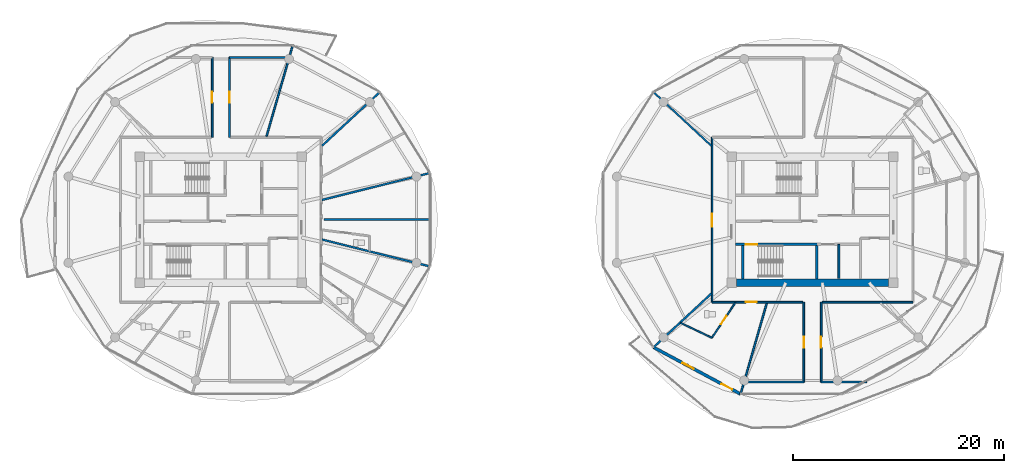
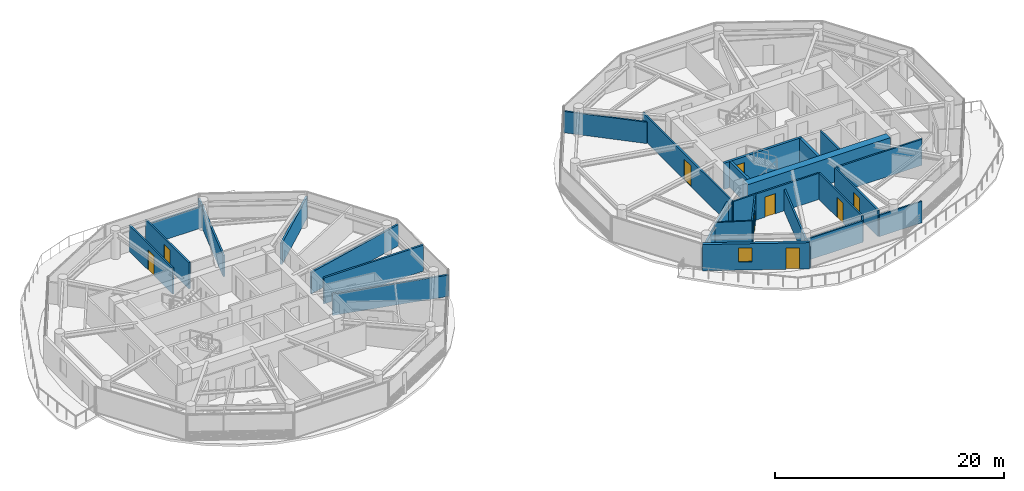
# One storey, part 15 of 25: 26 walls, 9 doors, 1 window, 10 openings.
"""IFC4 building model written with IfcOpenShell, lengths in metres."""

from ifc_helpers import new_model, si_unit, direction, frame, frame_2d, origin, place, context, subcontext, project, spatial, rectangle, extrude, source, transform, mapped, material, layer, layer_set, type_object, type_shapes, element, fill, save


model = new_model("IFC4")

# Units and contexts
model_context = context("Model", 3, precision=1e-05, world=origin(), true_north=direction((0.0, 1.0)))
body_context = subcontext(model_context, "Body", "Model", "MODEL_VIEW")
ifc_project = project(units=[si_unit("LENGTHUNIT", "METRE"), si_unit("AREAUNIT", "SQUARE_METRE"), si_unit("VOLUMEUNIT", "CUBIC_METRE"), si_unit("PLANEANGLEUNIT", "RADIAN"), si_unit("MASSUNIT", "GRAM", prefix="KILO")], contexts=[model_context])

# Site, building, storey
site_placement = place(None, origin())
site = spatial("IfcSite", under=ifc_project, at=site_placement, CompositionType="ELEMENT")
building_placement = place(site_placement, origin())
building = spatial("IfcBuilding", under=site, at=building_placement, Name="Norrkilde Senior Care Towers", CompositionType="ELEMENT")
storey_placement = place(building_placement, frame((0.0, 0.0, 84.050048828125)))
storey = spatial("IfcBuildingStorey", under=building, at=storey_placement, Name="L25", CompositionType="ELEMENT", Elevation=84.050048828125)

# Wall
ifc_material_1 = material(Name="Concrete C60/75", Category="concrete")
ifc_layer_1 = layer(ifc_material_1, 0.719970703125)
ifc_layer_set_1 = layer_set([ifc_layer_1], Name="Concrete C60/75")
wall_type_1 = type_object("IfcWallType", Name="Core Shear Wall Z2 720", PredefinedType="SHEAR", material=ifc_layer_set_1)
shared_shape_1 = source(origin(), body_context, "Body", "SweptSolid", [
    extrude(rectangle(XDim=14.39990234375, YDim=0.719970703125, at=frame_2d((7.199951171875, 0.0))), origin(), (0.0, 0.0, 1.0), 2.7900390625),
])
type_shapes(wall_type_1, [shared_shape_1])
wall_1_placement = place(storey_placement, frame((35.199951171875, -5.949951171875, 0.0), z_axis=(0.0, 0.0, 1.0), x_axis=(-1.0, 0.0, 0.0)))
element("IfcWall", 1, at=wall_1_placement, inside=storey, type_object=wall_type_1, Name="L25 Core E South Shear Wall", PredefinedType="SHEAR", context=body_context, shape_type="MappedRepresentation", body=[
    mapped(shared_shape_1, transform((0.0, 0.0, 0.0), x_axis=(1.0, 0.0, 0.0), y_axis=(0.0, 1.0, 0.0), z_axis=(0.0, 0.0, 1.0), scale=1.0)),
])

# Wall, openings, door, window
ifc_material_2 = material(Name="Precast concrete C45/55", Category="concrete")
ifc_layer_2 = layer(ifc_material_2, 0.2900390625)
ifc_layer_set_2 = layer_set([ifc_layer_2], Name="Precast concrete C45/55")
wall_type_2 = type_object("IfcWallType", Name="Winter Garden Facade Wall 290", PredefinedType="SOLIDWALL", material=ifc_layer_set_2)
shared_shape_2 = source(origin(), body_context, "Body", "SweptSolid", [
    extrude(rectangle(XDim=9.3505859375, YDim=0.2900390625, at=frame_2d((4.67529296875, 0.0))), origin(), (0.0, 0.0, 1.0), 2.7900390625),
])
type_shapes(wall_type_2, [shared_shape_2])
wall_2_placement = place(storey_placement, frame((21.19287109375, -16.498046875, 0.0), z_axis=(0.0, 0.0, 1.0), x_axis=(-0.881184411073, 0.472772708267, 0.0)))
wall_2 = element("IfcWall", 2, at=wall_2_placement, inside=storey, type_object=wall_type_2, Name="L25 Drum E Balcony Access Wall 07", PredefinedType="SOLIDWALL", context=body_context, shape_type="MappedRepresentation", body=[
    mapped(shared_shape_2, transform((0.0, 0.0, 0.0), x_axis=(1.0, 0.0, 0.0), y_axis=(0.0, 1.0, 0.0), z_axis=(0.0, 0.0, 1.0), scale=1.0)),
])
opening_1_placement = place(wall_2_placement, frame((0.89990234375, 0.0, 0.0)))
opening_1 = element("IfcOpeningElement", 3, at=opening_1_placement, cuts=wall_2, Name="Opening D-09", PredefinedType="OPENING", context=body_context, shape_type="SweptSolid", body=[
    extrude(rectangle(XDim=1.14990234375, YDim=2.25, at=frame_2d((0.574951171875, 1.125))), frame((0.0, 0.155029296875, 0.0), z_axis=(0.0, -1.0, 0.0), x_axis=(1.0, 0.0, 0.0)), (0.0, 0.0, 1.0), 0.31005859375),
])
opening_2_placement = place(wall_2_placement, frame((5.025146484375, 0.0, 0.85009765625)))
opening_2 = element("IfcOpeningElement", 4, at=opening_2_placement, cuts=wall_2, Name="Opening WN-07", PredefinedType="OPENING", context=body_context, shape_type="SweptSolid", body=[
    extrude(rectangle(XDim=1.199951171875, YDim=1.5, at=frame_2d((0.60009765625, 0.75))), frame((0.0, 0.155029296875, 0.0), z_axis=(0.0, -1.0, 0.0), x_axis=(1.0, 0.0, 0.0)), (0.0, 0.0, 1.0), 0.31005859375),
])
ifc_material_3 = material(Name="Anodised Aluminium", Category="aluminium")
door_type_1 = type_object("IfcDoorType", Name="Terrace and Balcony Glazed Door 1150x2250", OperationType="NOTDEFINED", PredefinedType="DOOR", material=ifc_material_3)
shared_shape_3 = source(origin(), body_context, "Body", "SweptSolid", [
    extrude(rectangle(XDim=1.14990234375, YDim=2.25, at=frame_2d((0.574951171875, 1.125))), frame((0.0, 0.02490234375, 0.0), z_axis=(0.0, -1.0, 0.0), x_axis=(1.0, 0.0, 0.0)), (0.0, 0.0, 1.0), 0.050048828125),
])
type_shapes(door_type_1, [shared_shape_3])
door_1_placement = place(opening_1_placement, origin())
door_1 = element("IfcDoor", 5, at=door_1_placement, inside=storey, type_object=door_type_1, Name="L25 Drum E Outdoor Terrace Door 07", OperationType="SINGLE_SWING_RIGHT", OverallHeight=2.25, OverallWidth=1.14990234375, PredefinedType="DOOR", context=body_context, shape_type="MappedRepresentation", body=[
    mapped(shared_shape_3, transform((0.0, 0.0, 0.0), x_axis=(1.0, 0.0, 0.0), y_axis=(0.0, 1.0, 0.0), z_axis=(0.0, 0.0, 1.0), scale=1.0)),
])
fill(opening_1, door_1)
ifc_material_4 = material(Name="Triple Low-E Insulated Glazing", Category="glass")
window_type = type_object("IfcWindowType", Name="Stairwell Smoke Vent Window 1200x1500", PartitioningType="SINGLE_PANEL", PredefinedType="WINDOW", material=ifc_material_4)
shared_shape_4 = source(origin(), body_context, "Body", "SweptSolid", [
    extrude(rectangle(XDim=1.199951171875, YDim=1.5, at=frame_2d((0.60009765625, 0.75))), frame((0.0, 0.030029296875, 0.0), z_axis=(0.0, -1.0, 0.0), x_axis=(1.0, 0.0, 0.0)), (0.0, 0.0, 1.0), 0.06005859375),
])
type_shapes(window_type, [shared_shape_4])
window_placement = place(opening_2_placement, origin())
window = element("IfcWindow", 6, at=window_placement, inside=storey, type_object=window_type, Name="L25 Drum E Winter Garden Window 07", OverallHeight=1.5, OverallWidth=1.199951171875, PartitioningType="SINGLE_PANEL", PredefinedType="WINDOW", context=body_context, shape_type="MappedRepresentation", body=[
    mapped(shared_shape_4, transform((0.0, 0.0, 0.0), x_axis=(1.0, 0.0, 0.0), y_axis=(0.0, 1.0, 0.0), z_axis=(0.0, 0.0, 1.0), scale=1.0)),
])
fill(opening_2, window)

# Wall
ifc_material_5 = material(Name="Concrete C45/55", Category="concrete")
ifc_layer_3 = layer(ifc_material_5, 0.179931640625)
ifc_layer_set_3 = layer_set([ifc_layer_3], Name="Concrete C45/55")
wall_type_3 = type_object("IfcWallType", Name="Hoistway Division Rated Partition 180", PredefinedType="PARTITIONING", material=ifc_layer_set_3)
shared_shape_5 = source(origin(), body_context, "Body", "SweptSolid", [
    extrude(rectangle(XDim=3.219970703125, YDim=0.179931640625, at=frame_2d((1.60986328125, 0.0))), origin(), (0.0, 0.0, 1.0), 2.77490234375),
])
type_shapes(wall_type_3, [shared_shape_5])
wall_3_placement = place(storey_placement, frame((30.5, -5.550048828125, 0.0), z_axis=(0.0, 0.0, 1.0), x_axis=(0.0, 1.0, 0.0)))
element("IfcWall", 7, at=wall_3_placement, inside=storey, type_object=wall_type_3, Name="WL-INT-L25-E-PL34", PredefinedType="PARTITIONING", context=body_context, shape_type="MappedRepresentation", body=[
    mapped(shared_shape_5, transform((0.0, 0.0, 0.0), x_axis=(1.0, 0.0, 0.0), y_axis=(0.0, 1.0, 0.0), z_axis=(0.0, 0.0, 1.0), scale=1.0)),
])

# Wall, opening, door
ifc_material_6 = material(Name="Gypsum Acoustic Board")
ifc_layer_4 = layer(ifc_material_6, 0.1650390625)
ifc_layer_set_4 = layer_set([ifc_layer_4], Name="Gypsum Acoustic Board")
wall_type_4 = type_object("IfcWallType", Name="Corridor Rated Partition 165", PredefinedType="PARTITIONING", material=ifc_layer_set_4)
shared_shape_6 = source(origin(), body_context, "Body", "SweptSolid", [
    extrude(rectangle(XDim=15.60009765625, YDim=0.1650390625, at=frame_2d((7.800048828125, 0.0))), origin(), (0.0, 0.0, 1.0), 2.77490234375),
])
wall_4_placement = place(storey_placement, frame((18.5, -7.800048828125, 0.0), z_axis=(0.0, 0.0, 1.0), x_axis=(0.0, 1.0, 0.0)))
wall_4 = element("IfcWall", 8, at=wall_4_placement, inside=storey, type_object=wall_type_4, Name="WL-INT-L25-E-CRW-W-0", PredefinedType="PARTITIONING", context=body_context, shape_type="MappedRepresentation", body=[
    mapped(shared_shape_6, transform((0.0, 0.0, 0.0), x_axis=(1.0, 0.0, 0.0), y_axis=(0.0, 1.0, 0.0), z_axis=(0.0, 0.0, 1.0), scale=1.0)),
])
opening_3_placement = place(wall_4_placement, frame((7.1337890625, 0.0, 0.0)))
opening_3 = element("IfcOpeningElement", 9, at=opening_3_placement, cuts=wall_4, Name="Opening D-05", PredefinedType="OPENING", context=body_context, shape_type="SweptSolid", body=[
    extrude(rectangle(XDim=1.25, YDim=2.199951171875, at=frame_2d((0.625, 1.10009765625))), frame((0.0, 0.092529296875, 0.0), z_axis=(0.0, -1.0, 0.0), x_axis=(1.0, 0.0, 0.0)), (0.0, 0.0, 1.0), 0.18505859375),
])
ifc_material_7 = material(Name="Nordic Ash Timber", Category="wood")
door_type_2 = type_object("IfcDoorType", Name="Care Bedroom Bariatric Door 1250x2200", OperationType="NOTDEFINED", PredefinedType="DOOR", material=ifc_material_7)
shared_shape_7 = source(origin(), body_context, "Body", "SweptSolid", [
    extrude(rectangle(XDim=1.25, YDim=2.199951171875, at=frame_2d((0.625, 1.10009765625))), frame((0.0, 0.02490234375, 0.0), z_axis=(0.0, -1.0, 0.0), x_axis=(1.0, 0.0, 0.0)), (0.0, 0.0, 1.0), 0.050048828125),
])
type_shapes(door_type_2, [shared_shape_7])
door_2_placement = place(opening_3_placement, frame((1.25, 0.0, 0.0), z_axis=(0.0, 0.0, 1.0), x_axis=(-1.0, 0.0, 0.0)))
door_2 = element("IfcDoor", 10, at=door_2_placement, inside=storey, type_object=door_type_2, Name="L25 Senior Wellness Library Lounge Door", OperationType="SINGLE_SWING_LEFT", OverallHeight=2.199951171875, OverallWidth=1.25, PredefinedType="DOOR", context=body_context, shape_type="MappedRepresentation", body=[
    mapped(shared_shape_7, transform((0.0, 0.0, 0.0), x_axis=(1.0, 0.0, 0.0), y_axis=(0.0, 1.0, 0.0), z_axis=(0.0, 0.0, 1.0), scale=1.0)),
])
fill(opening_3, door_2)

ifc_layer_5 = layer(ifc_material_5, 0.239990234375)
ifc_layer_set_5 = layer_set([ifc_layer_5], Name="Concrete C45/55")
wall_type_5 = type_object("IfcWallType", Name="Shaft and Stair Enclosure Wall 240", PredefinedType="PARTITIONING", material=ifc_layer_set_5)
shared_shape_8 = source(origin(), body_context, "Body", "SweptSolid", [
    extrude(rectangle(XDim=7.830078125, YDim=0.239990234375, at=frame_2d((3.9150390625, 0.0))), origin(), (0.0, 0.0, 1.0), 2.7900390625),
])
wall_5_placement = place(storey_placement, frame((20.7099609375, -2.330078125, 0.0), z_axis=(0.0, 0.0, 1.0), x_axis=(1.0, 0.0, 0.0)))
wall_5 = element("IfcWall", 11, at=wall_5_placement, inside=storey, type_object=wall_type_5, Name="WL-INT-L25-E-ST2N", PredefinedType="PARTITIONING", context=body_context, shape_type="MappedRepresentation", body=[
    mapped(shared_shape_8, transform((0.0, 0.0, 0.0), x_axis=(1.0, 0.0, 0.0), y_axis=(0.0, 1.0, 0.0), z_axis=(0.0, 0.0, 1.0), scale=1.0)),
])
opening_4_placement = place(wall_5_placement, frame((0.949951171875, 0.0, 0.0)))
opening_4 = element("IfcOpeningElement", 12, at=opening_4_placement, cuts=wall_5, Name="Opening D-03", PredefinedType="OPENING", context=body_context, shape_type="SweptSolid", body=[
    extrude(rectangle(XDim=1.10009765625, YDim=2.14990234375, at=frame_2d((0.550048828125, 1.074951171875))), frame((0.0, 0.1298828125, 0.0), z_axis=(0.0, -1.0, 0.0), x_axis=(1.0, 0.0, 0.0)), (0.0, 0.0, 1.0), 0.260009765625),
])
ifc_material_8 = material(Name="Galvanised Painted Steel", Category="steel")
door_type_3 = type_object("IfcDoorType", Name="Stairwell Protected Fire Door 1100x2150", OperationType="NOTDEFINED", PredefinedType="DOOR", material=ifc_material_8)
shared_shape_9 = source(origin(), body_context, "Body", "SweptSolid", [
    extrude(rectangle(XDim=1.10009765625, YDim=2.14990234375, at=frame_2d((0.550048828125, 1.074951171875))), frame((0.0, 0.02490234375, 0.0), z_axis=(0.0, -1.0, 0.0), x_axis=(1.0, 0.0, 0.0)), (0.0, 0.0, 1.0), 0.050048828125),
])
type_shapes(door_type_3, [shared_shape_9])
door_3_placement = place(opening_4_placement, frame((1.10009765625, 0.0, 0.0), z_axis=(0.0, 0.0, 1.0), x_axis=(-1.0, 0.0, 0.0)))
door_3 = element("IfcDoor", 13, at=door_3_placement, inside=storey, type_object=door_type_3, Name="L25 Stair E2 Fire Door", OperationType="SINGLE_SWING_RIGHT", OverallHeight=2.14990234375, OverallWidth=1.10009765625, PredefinedType="DOOR", context=body_context, shape_type="MappedRepresentation", body=[
    mapped(shared_shape_9, transform((0.0, 0.0, 0.0), x_axis=(1.0, 0.0, 0.0), y_axis=(0.0, 1.0, 0.0), z_axis=(0.0, 0.0, 1.0), scale=1.0)),
])
fill(opening_4, door_3)

# Walls
shared_shape_10 = source(origin(), body_context, "Body", "SweptSolid", [
    extrude(rectangle(XDim=3.14013671875, YDim=0.239990234375, at=frame_2d((1.570068359375, 0.0))), origin(), (0.0, 0.0, 1.0), 2.7900390625),
])
type_shapes(wall_type_5, [shared_shape_8, shared_shape_10])
for number, where, z_axis, x_axis, name in (
    (14, (21.3798828125, -5.590087890625, 0.0), (0.0, 0.0, 1.0), (0.0, 1.0, 0.0), "WL-INT-L25-E-ST2W"),
    (15, (28.419921875, -5.590087890625, 0.0), (0.0, 0.0, 1.0), (0.0, 1.0, 0.0), "WL-INT-L25-E-ST2E"),
):
    element("IfcWall", number, at=place(storey_placement, frame(where, z_axis=z_axis, x_axis=x_axis)), inside=storey, type_object=wall_type_5, Name=name, PredefinedType="PARTITIONING", context=body_context, shape_type="MappedRepresentation", body=[
        mapped(shared_shape_10, transform((0.0, 0.0, 0.0), x_axis=(1.0, 0.0, 0.0), y_axis=(0.0, 1.0, 0.0), z_axis=(0.0, 0.0, 1.0), scale=1.0)),
    ])
shared_shape_11 = source(origin(), body_context, "Body", "SweptSolid", [
    extrude(rectangle(XDim=8.60009765625, YDim=0.1650390625, at=frame_2d((4.300048828125, 0.0))), origin(), (0.0, 0.0, 1.0), 2.77490234375),
])
wall_6_placement = place(storey_placement, frame((37.5, -7.800048828125, 0.0), z_axis=(0.0, 0.0, 1.0), x_axis=(-1.0, 0.0, 0.0)))
element("IfcWall", 16, at=wall_6_placement, inside=storey, type_object=wall_type_4, Name="WL-INT-L25-E-CRW-S-0", PredefinedType="PARTITIONING", context=body_context, shape_type="MappedRepresentation", body=[
    mapped(shared_shape_11, transform((0.0, 0.0, 0.0), x_axis=(1.0, 0.0, 0.0), y_axis=(0.0, 1.0, 0.0), z_axis=(0.0, 0.0, 1.0), scale=1.0)),
])

# Wall, opening, door
wall_7_placement = place(storey_placement, frame((27.10009765625, -7.800048828125, 0.0), z_axis=(0.0, 0.0, 1.0), x_axis=(-1.0, 0.0, 0.0)))
wall_7 = element("IfcWall", 17, at=wall_7_placement, inside=storey, type_object=wall_type_4, Name="WL-INT-L25-E-CRW-S-1", PredefinedType="PARTITIONING", context=body_context, shape_type="MappedRepresentation", body=[
    mapped(shared_shape_11, transform((0.0, 0.0, 0.0), x_axis=(1.0, 0.0, 0.0), y_axis=(0.0, 1.0, 0.0), z_axis=(0.0, 0.0, 1.0), scale=1.0)),
])
opening_5_placement = place(wall_7_placement, frame((4.384033203125, 0.0, 0.0)))
opening_5 = element("IfcOpeningElement", 18, at=opening_5_placement, cuts=wall_7, Name="Opening D-06", PredefinedType="OPENING", context=body_context, shape_type="SweptSolid", body=[
    extrude(rectangle(XDim=1.050048828125, YDim=2.14990234375, at=frame_2d((0.52490234375, 1.074951171875))), frame((0.0, 0.092529296875, 0.0), z_axis=(0.0, -1.0, 0.0), x_axis=(1.0, 0.0, 0.0)), (0.0, 0.0, 1.0), 0.18505859375),
])
door_type_4 = type_object("IfcDoorType", Name="Apartment Entrance Fire Door 1050x2150", OperationType="NOTDEFINED", PredefinedType="DOOR", material=ifc_material_7)
shared_shape_12 = source(origin(), body_context, "Body", "SweptSolid", [
    extrude(rectangle(XDim=1.050048828125, YDim=2.14990234375, at=frame_2d((0.52490234375, 1.074951171875))), frame((0.0, 0.02490234375, 0.0), z_axis=(0.0, -1.0, 0.0), x_axis=(1.0, 0.0, 0.0)), (0.0, 0.0, 1.0), 0.050048828125),
])
type_shapes(door_type_4, [shared_shape_12])
door_4_placement = place(opening_5_placement, frame((1.050048828125, 0.0, 0.0), z_axis=(0.0, 0.0, 1.0), x_axis=(-1.0, 0.0, 0.0)))
door_4 = element("IfcDoor", 19, at=door_4_placement, inside=storey, type_object=door_type_4, Name="L25 Studio 25B Entrance Door", OperationType="SINGLE_SWING_RIGHT", OverallHeight=2.14990234375, OverallWidth=1.050048828125, PredefinedType="DOOR", context=body_context, shape_type="MappedRepresentation", body=[
    mapped(shared_shape_12, transform((0.0, 0.0, 0.0), x_axis=(1.0, 0.0, 0.0), y_axis=(0.0, 1.0, 0.0), z_axis=(0.0, 0.0, 1.0), scale=1.0)),
])
fill(opening_5, door_4)

# Walls
shared_shape_13 = source(origin(), body_context, "Body", "SweptSolid", [
    extrude(rectangle(XDim=8.9892578125, YDim=0.1650390625, at=frame_2d((4.49462890625, 0.0))), origin(), (0.0, 0.0, 1.0), 2.27490234375),
])
for number, where, z_axis, x_axis, name in (
    (20, (-23.677978515625, 7.8798828125, 0.0), (0.0, 0.0, 1.0), (0.27702323008, 0.960863221274, 0.0), "WL-INT-L25-W-DEM-02-0"),
    (21, (23.677978515625, -7.8798828125, 0.0), (0.0, 0.0, 1.0), (-0.27702323008, -0.960863221274, 0.0), "WL-INT-L25-E-DEM-08-0"),
):
    element("IfcWall", number, at=place(storey_placement, frame(where, z_axis=z_axis, x_axis=x_axis)), inside=storey, type_object=wall_type_4, Name=name, PredefinedType="PARTITIONING", context=body_context, shape_type="MappedRepresentation", body=[
        mapped(shared_shape_13, transform((0.0, 0.0, 0.0), x_axis=(1.0, 0.0, 0.0), y_axis=(0.0, 1.0, 0.0), z_axis=(0.0, 0.0, 1.0), scale=1.0)),
    ])
shared_shape_14 = source(origin(), body_context, "Body", "SweptSolid", [
    extrude(rectangle(XDim=7.482177734375, YDim=0.1650390625, at=frame_2d((3.7412109375, 0.0))), origin(), (0.0, 0.0, 1.0), 2.27490234375),
])
wall_8_placement = place(storey_placement, frame((18.419921875, 6.998046875, 0.0), z_axis=(0.0, 0.0, 1.0), x_axis=(-0.732508698043, 0.680757671489, 0.0)))
element("IfcWall", 22, at=wall_8_placement, inside=storey, type_object=wall_type_4, Name="WL-INT-L25-E-DEM-04-0", PredefinedType="PARTITIONING", context=body_context, shape_type="MappedRepresentation", body=[
    mapped(shared_shape_14, transform((0.0, 0.0, 0.0), x_axis=(1.0, 0.0, 0.0), y_axis=(0.0, 1.0, 0.0), z_axis=(0.0, 0.0, 1.0), scale=1.0)),
])

# Wall, opening, door
shared_shape_15 = source(origin(), body_context, "Body", "SweptSolid", [
    extrude(rectangle(XDim=7.56005859375, YDim=0.1650390625, at=frame_2d((3.780029296875, 0.0))), origin(), (0.0, 0.0, 1.0), 2.77490234375),
])
wall_9_placement = place(storey_placement, frame((-28.820068359375, 7.800048828125, 0.0), z_axis=(0.0, 0.0, 1.0), x_axis=(0.0, 1.0, 0.0)))
wall_9 = element("IfcWall", 23, at=wall_9_placement, inside=storey, type_object=wall_type_4, Name="WL-INT-L25-W-PKW-NWL", PredefinedType="PARTITIONING", context=body_context, shape_type="MappedRepresentation", body=[
    mapped(shared_shape_15, transform((0.0, 0.0, 0.0), x_axis=(1.0, 0.0, 0.0), y_axis=(0.0, 1.0, 0.0), z_axis=(0.0, 0.0, 1.0), scale=1.0)),
])
opening_6_placement = place(wall_9_placement, frame((3.2548828125, 0.0, 0.0)))
opening_6 = element("IfcOpeningElement", 24, at=opening_6_placement, cuts=wall_9, Name="Opening D-06", PredefinedType="OPENING", context=body_context, shape_type="SweptSolid", body=[
    extrude(rectangle(XDim=1.050048828125, YDim=2.14990234375, at=frame_2d((0.52490234375, 1.074951171875))), frame((0.0, 0.092529296875, 0.0), z_axis=(0.0, -1.0, 0.0), x_axis=(1.0, 0.0, 0.0)), (0.0, 0.0, 1.0), 0.18505859375),
])
door_5_placement = place(opening_6_placement, frame((1.050048828125, 0.0, 0.0), z_axis=(0.0, 0.0, 1.0), x_axis=(-1.0, 0.0, 0.0)))
door_5 = element("IfcDoor", 25, at=door_5_placement, inside=storey, type_object=door_type_4, Name="L25 Reading Lounge NWL Door", OperationType="SINGLE_SWING_RIGHT", OverallHeight=2.14990234375, OverallWidth=1.050048828125, PredefinedType="DOOR", context=body_context, shape_type="MappedRepresentation", body=[
    mapped(shared_shape_12, transform((0.0, 0.0, 0.0), x_axis=(1.0, 0.0, 0.0), y_axis=(0.0, 1.0, 0.0), z_axis=(0.0, 0.0, 1.0), scale=1.0)),
])
fill(opening_6, door_5)

wall_10_placement = place(storey_placement, frame((-27.179931640625, 7.800048828125, 0.0), z_axis=(0.0, 0.0, 1.0), x_axis=(0.0, 1.0, 0.0)))
wall_10 = element("IfcWall", 26, at=wall_10_placement, inside=storey, type_object=wall_type_4, Name="WL-INT-L25-W-PKW-NEL", PredefinedType="PARTITIONING", context=body_context, shape_type="MappedRepresentation", body=[
    mapped(shared_shape_15, transform((0.0, 0.0, 0.0), x_axis=(1.0, 0.0, 0.0), y_axis=(0.0, 1.0, 0.0), z_axis=(0.0, 0.0, 1.0), scale=1.0)),
])
opening_7_placement = place(wall_10_placement, frame((3.2548828125, 0.0, 0.0)))
opening_7 = element("IfcOpeningElement", 27, at=opening_7_placement, cuts=wall_10, Name="Opening D-06", PredefinedType="OPENING", context=body_context, shape_type="SweptSolid", body=[
    extrude(rectangle(XDim=1.050048828125, YDim=2.14990234375, at=frame_2d((0.52490234375, 1.074951171875))), frame((0.0, 0.092529296875, 0.0), z_axis=(0.0, -1.0, 0.0), x_axis=(1.0, 0.0, 0.0)), (0.0, 0.0, 1.0), 0.18505859375),
])
door_6_placement = place(opening_7_placement, frame((1.050048828125, 0.0, 0.0), z_axis=(0.0, 0.0, 1.0), x_axis=(-1.0, 0.0, 0.0)))
door_6 = element("IfcDoor", 28, at=door_6_placement, inside=storey, type_object=door_type_4, Name="L25 Reading Lounge NEL Door", OperationType="SINGLE_SWING_RIGHT", OverallHeight=2.14990234375, OverallWidth=1.050048828125, PredefinedType="DOOR", context=body_context, shape_type="MappedRepresentation", body=[
    mapped(shared_shape_12, transform((0.0, 0.0, 0.0), x_axis=(1.0, 0.0, 0.0), y_axis=(0.0, 1.0, 0.0), z_axis=(0.0, 0.0, 1.0), scale=1.0)),
])
fill(opening_7, door_6)

wall_11_placement = place(storey_placement, frame((27.179931640625, -15.360107421875, 0.0), z_axis=(0.0, 0.0, 1.0), x_axis=(0.0, 1.0, 0.0)))
wall_11 = element("IfcWall", 29, at=wall_11_placement, inside=storey, type_object=wall_type_4, Name="WL-INT-L25-E-PKW-SWL", PredefinedType="PARTITIONING", context=body_context, shape_type="MappedRepresentation", body=[
    mapped(shared_shape_15, transform((0.0, 0.0, 0.0), x_axis=(1.0, 0.0, 0.0), y_axis=(0.0, 1.0, 0.0), z_axis=(0.0, 0.0, 1.0), scale=1.0)),
])
opening_8_placement = place(wall_11_placement, frame((3.2548828125, 0.0, 0.0)))
opening_8 = element("IfcOpeningElement", 30, at=opening_8_placement, cuts=wall_11, Name="Opening D-06", PredefinedType="OPENING", context=body_context, shape_type="SweptSolid", body=[
    extrude(rectangle(XDim=1.050048828125, YDim=2.14990234375, at=frame_2d((0.52490234375, 1.074951171875))), frame((0.0, 0.092529296875, 0.0), z_axis=(0.0, -1.0, 0.0), x_axis=(1.0, 0.0, 0.0)), (0.0, 0.0, 1.0), 0.18505859375),
])
door_7_placement = place(opening_8_placement, frame((1.050048828125, 0.0, 0.0), z_axis=(0.0, 0.0, 1.0), x_axis=(-1.0, 0.0, 0.0)))
door_7 = element("IfcDoor", 31, at=door_7_placement, inside=storey, type_object=door_type_4, Name="L25 Reading Lounge SWL Door", OperationType="SINGLE_SWING_RIGHT", OverallHeight=2.14990234375, OverallWidth=1.050048828125, PredefinedType="DOOR", context=body_context, shape_type="MappedRepresentation", body=[
    mapped(shared_shape_12, transform((0.0, 0.0, 0.0), x_axis=(1.0, 0.0, 0.0), y_axis=(0.0, 1.0, 0.0), z_axis=(0.0, 0.0, 1.0), scale=1.0)),
])
fill(opening_8, door_7)

wall_12_placement = place(storey_placement, frame((28.820068359375, -15.360107421875, 0.0), z_axis=(0.0, 0.0, 1.0), x_axis=(0.0, 1.0, 0.0)))
wall_12 = element("IfcWall", 32, at=wall_12_placement, inside=storey, type_object=wall_type_4, Name="WL-INT-L25-E-PKW-SEL", PredefinedType="PARTITIONING", context=body_context, shape_type="MappedRepresentation", body=[
    mapped(shared_shape_15, transform((0.0, 0.0, 0.0), x_axis=(1.0, 0.0, 0.0), y_axis=(0.0, 1.0, 0.0), z_axis=(0.0, 0.0, 1.0), scale=1.0)),
])
opening_9_placement = place(wall_12_placement, frame((3.2548828125, 0.0, 0.0)))
opening_9 = element("IfcOpeningElement", 33, at=opening_9_placement, cuts=wall_12, Name="Opening D-06", PredefinedType="OPENING", context=body_context, shape_type="SweptSolid", body=[
    extrude(rectangle(XDim=1.050048828125, YDim=2.14990234375, at=frame_2d((0.52490234375, 1.074951171875))), frame((0.0, 0.092529296875, 0.0), z_axis=(0.0, -1.0, 0.0), x_axis=(1.0, 0.0, 0.0)), (0.0, 0.0, 1.0), 0.18505859375),
])
door_8_placement = place(opening_9_placement, frame((1.050048828125, 0.0, 0.0), z_axis=(0.0, 0.0, 1.0), x_axis=(-1.0, 0.0, 0.0)))
door_8 = element("IfcDoor", 34, at=door_8_placement, inside=storey, type_object=door_type_4, Name="L25 Reading Lounge SEL Door", OperationType="SINGLE_SWING_RIGHT", OverallHeight=2.14990234375, OverallWidth=1.050048828125, PredefinedType="DOOR", context=body_context, shape_type="MappedRepresentation", body=[
    mapped(shared_shape_12, transform((0.0, 0.0, 0.0), x_axis=(1.0, 0.0, 0.0), y_axis=(0.0, 1.0, 0.0), z_axis=(0.0, 0.0, 1.0), scale=1.0)),
])
fill(opening_9, door_8)

# Walls
shared_shape_16 = source(origin(), body_context, "Body", "SweptSolid", [
    extrude(rectangle(XDim=4.306884765625, YDim=0.1650390625, at=frame_2d((2.1533203125, 0.0))), origin(), (0.0, 0.0, 1.0), 2.27490234375),
])
wall_13_placement = place(storey_placement, frame((28.820068359375, -15.360107421875, 0.0), z_axis=(0.0, 0.0, 1.0), x_axis=(1.0, 0.0, 0.0)))
element("IfcWall", 35, at=wall_13_placement, inside=storey, type_object=wall_type_4, Name="WL-INT-L25-E-PKH-SEL-0", PredefinedType="PARTITIONING", context=body_context, shape_type="MappedRepresentation", body=[
    mapped(shared_shape_16, transform((0.0, 0.0, 0.0), x_axis=(1.0, 0.0, 0.0), y_axis=(0.0, 1.0, 0.0), z_axis=(0.0, 0.0, 1.0), scale=1.0)),
])
shared_shape_17 = source(origin(), body_context, "Body", "SweptSolid", [
    extrude(rectangle(XDim=5.81396484375, YDim=0.1650390625, at=frame_2d((2.906982421875, 0.0))), origin(), (0.0, 0.0, 1.0), 2.27490234375),
])
type_shapes(wall_type_4, [shared_shape_6, shared_shape_11, shared_shape_13, shared_shape_14, shared_shape_15, shared_shape_16, shared_shape_17])
for number, where, z_axis, x_axis, name in (
    (36, (-27.179931640625, 15.360107421875, 0.0), (0.0, 0.0, 1.0), (1.0, 0.0, 0.0), "WL-INT-L25-W-PKH-NEL-0"),
    (37, (21.365966796875, -15.360107421875, 0.0), (0.0, 0.0, 1.0), (1.0, 0.0, 0.0), "WL-INT-L25-E-PKH-SWL-0"),
):
    element("IfcWall", number, at=place(storey_placement, frame(where, z_axis=z_axis, x_axis=x_axis)), inside=storey, type_object=wall_type_4, Name=name, PredefinedType="PARTITIONING", context=body_context, shape_type="MappedRepresentation", body=[
        mapped(shared_shape_17, transform((0.0, 0.0, 0.0), x_axis=(1.0, 0.0, 0.0), y_axis=(0.0, 1.0, 0.0), z_axis=(0.0, 0.0, 1.0), scale=1.0)),
    ])
ifc_layer_6 = layer(ifc_material_6, 0.18994140625)
ifc_layer_set_6 = layer_set([ifc_layer_6], Name="Gypsum Acoustic Board")
wall_type_6 = type_object("IfcWallType", Name="Unit Demising Acoustic Wall 190", PredefinedType="PARTITIONING", material=ifc_layer_set_6)
shared_shape_18 = source(origin(), body_context, "Body", "SweptSolid", [
    extrude(rectangle(XDim=10.5556640625, YDim=0.18994140625, at=frame_2d((5.27783203125, 0.0))), origin(), (0.0, 0.0, 1.0), 2.27490234375),
])
for number, where, z_axis, x_axis, name in (
    (38, (-18.419921875, -1.875, 0.0), (0.0, 0.0, 1.0), (0.970363857851, -0.241648470667, 0.0), "WL-INT-L25-W-DEM-11-0"),
    (39, (-18.419921875, 1.875, 0.0), (0.0, 0.0, 1.0), (0.970363857851, 0.241648470667, 0.0), "WL-INT-L25-W-DEM-00-0"),
):
    element("IfcWall", number, at=place(storey_placement, frame(where, z_axis=z_axis, x_axis=x_axis)), inside=storey, type_object=wall_type_6, Name=name, PredefinedType="PARTITIONING", context=body_context, shape_type="MappedRepresentation", body=[
        mapped(shared_shape_18, transform((0.0, 0.0, 0.0), x_axis=(1.0, 0.0, 0.0), y_axis=(0.0, 1.0, 0.0), z_axis=(0.0, 0.0, 1.0), scale=1.0)),
    ])
shared_shape_19 = source(origin(), body_context, "Body", "SweptSolid", [
    extrude(rectangle(XDim=7.482177734375, YDim=0.18994140625, at=frame_2d((3.7412109375, 0.0))), origin(), (0.0, 0.0, 1.0), 2.27490234375),
])
for number, where, z_axis, x_axis, name in (
    (40, (-18.419921875, 6.998046875, 0.0), (0.0, 0.0, 1.0), (0.732508698043, 0.680757671489, 0.0), "WL-INT-L25-W-DEM-01-0"),
    (41, (18.419921875, -6.998046875, 0.0), (0.0, 0.0, 1.0), (-0.732508698043, -0.680757671489, 0.0), "WL-INT-L25-E-DEM-07-0"),
):
    element("IfcWall", number, at=place(storey_placement, frame(where, z_axis=z_axis, x_axis=x_axis)), inside=storey, type_object=wall_type_6, Name=name, PredefinedType="PARTITIONING", context=body_context, shape_type="MappedRepresentation", body=[
        mapped(shared_shape_19, transform((0.0, 0.0, 0.0), x_axis=(1.0, 0.0, 0.0), y_axis=(0.0, 1.0, 0.0), z_axis=(0.0, 0.0, 1.0), scale=1.0)),
    ])
shared_shape_20 = source(origin(), body_context, "Body", "SweptSolid", [
    extrude(rectangle(XDim=10.035888671875, YDim=0.18994140625, at=frame_2d((5.01806640625, 0.0))), origin(), (0.0, 0.0, 1.0), 2.77490234375),
])
type_shapes(wall_type_6, [shared_shape_18, shared_shape_19, shared_shape_20])
wall_14_placement = place(storey_placement, frame((-18.212890625, 0.0, 0.0), z_axis=(0.0, 0.0, 1.0), x_axis=(1.0, 0.0, 0.0)))
element("IfcWall", 42, at=wall_14_placement, inside=storey, type_object=wall_type_6, Name="WL-INT-L25-W-CMID-11", PredefinedType="PARTITIONING", context=body_context, shape_type="MappedRepresentation", body=[
    mapped(shared_shape_20, transform((0.0, 0.0, 0.0), x_axis=(1.0, 0.0, 0.0), y_axis=(0.0, 1.0, 0.0), z_axis=(0.0, 0.0, 1.0), scale=1.0)),
])

# Wall, opening, door
ifc_layer_7 = layer(ifc_material_6, 0.139892578125)
ifc_layer_set_7 = layer_set([ifc_layer_7], Name="Gypsum Acoustic Board")
wall_type_7 = type_object("IfcWallType", Name="En-suite Wet Room Wall 140", PredefinedType="PARTITIONING", material=ifc_layer_set_7)
shared_shape_21 = source(origin(), body_context, "Body", "SweptSolid", [
    extrude(rectangle(XDim=4.02734375, YDim=0.139892578125, at=frame_2d((2.013671875, 0.0))), origin(), (0.0, 0.0, 1.0), 2.77490234375),
])
wall_15_placement = place(storey_placement, frame((20.714111328125, -7.830078125, 0.0), z_axis=(0.0, 0.0, 1.0), x_axis=(-0.555832825922, -0.831294093343, 0.0)))
wall_15 = element("IfcWall", 43, at=wall_15_placement, inside=storey, type_object=wall_type_7, Name="WL-INT-L25-E-ES-07", PredefinedType="PARTITIONING", context=body_context, shape_type="MappedRepresentation", body=[
    mapped(shared_shape_21, transform((0.0, 0.0, 0.0), x_axis=(1.0, 0.0, 0.0), y_axis=(0.0, 1.0, 0.0), z_axis=(0.0, 0.0, 1.0), scale=1.0)),
])
opening_10_placement = place(wall_15_placement, frame((1.5537109375, 0.0, 0.0)))
opening_10 = element("IfcOpeningElement", 44, at=opening_10_placement, cuts=wall_15, Name="Opening D-08", PredefinedType="OPENING", context=body_context, shape_type="SweptSolid", body=[
    extrude(rectangle(XDim=0.919921875, YDim=2.10009765625, at=frame_2d((0.4599609375, 1.050048828125))), frame((0.0, 0.079833984375, 0.0), z_axis=(0.0, -1.0, 0.0), x_axis=(1.0, 0.0, 0.0)), (0.0, 0.0, 1.0), 0.159912109375),
])
door_type_5 = type_object("IfcDoorType", Name="Accessible Wet Room Door 920x2100", OperationType="NOTDEFINED", PredefinedType="DOOR", material=ifc_material_7)
shared_shape_22 = source(origin(), body_context, "Body", "SweptSolid", [
    extrude(rectangle(XDim=0.919921875, YDim=2.10009765625, at=frame_2d((0.4599609375, 1.050048828125))), frame((0.0, 0.02490234375, 0.0), z_axis=(0.0, -1.0, 0.0), x_axis=(1.0, 0.0, 0.0)), (0.0, 0.0, 1.0), 0.050048828125),
])
type_shapes(door_type_5, [shared_shape_22])
door_9_placement = place(opening_10_placement, origin())
door_9 = element("IfcDoor", 45, at=door_9_placement, inside=storey, type_object=door_type_5, Name="L25 Studio 25B Bathroom Door", OperationType="SINGLE_SWING_LEFT", OverallHeight=2.10009765625, OverallWidth=0.919921875, PredefinedType="DOOR", context=body_context, shape_type="MappedRepresentation", body=[
    mapped(shared_shape_22, transform((0.0, 0.0, 0.0), x_axis=(1.0, 0.0, 0.0), y_axis=(0.0, 1.0, 0.0), z_axis=(0.0, 0.0, 1.0), scale=1.0)),
])
fill(opening_10, door_9)

# Wall
shared_shape_23 = source(origin(), body_context, "Body", "SweptSolid", [
    extrude(rectangle(XDim=3.291015625, YDim=0.139892578125, at=frame_2d((1.6455078125, 0.0))), origin(), (0.0, 0.0, 1.0), 2.77490234375),
])
type_shapes(wall_type_7, [shared_shape_21, shared_shape_23])
wall_16_placement = place(storey_placement, frame((18.4755859375, -11.177978515625, 0.0), z_axis=(0.0, 0.0, 1.0), x_axis=(-0.902381393443, 0.430938302739, 0.0)))
element("IfcWall", 46, at=wall_16_placement, inside=storey, type_object=wall_type_7, Name="WL-INT-L25-E-EF-07", PredefinedType="PARTITIONING", context=body_context, shape_type="MappedRepresentation", body=[
    mapped(shared_shape_23, transform((0.0, 0.0, 0.0), x_axis=(1.0, 0.0, 0.0), y_axis=(0.0, 1.0, 0.0), z_axis=(0.0, 0.0, 1.0), scale=1.0)),
])

save(model, "model.ifc")
